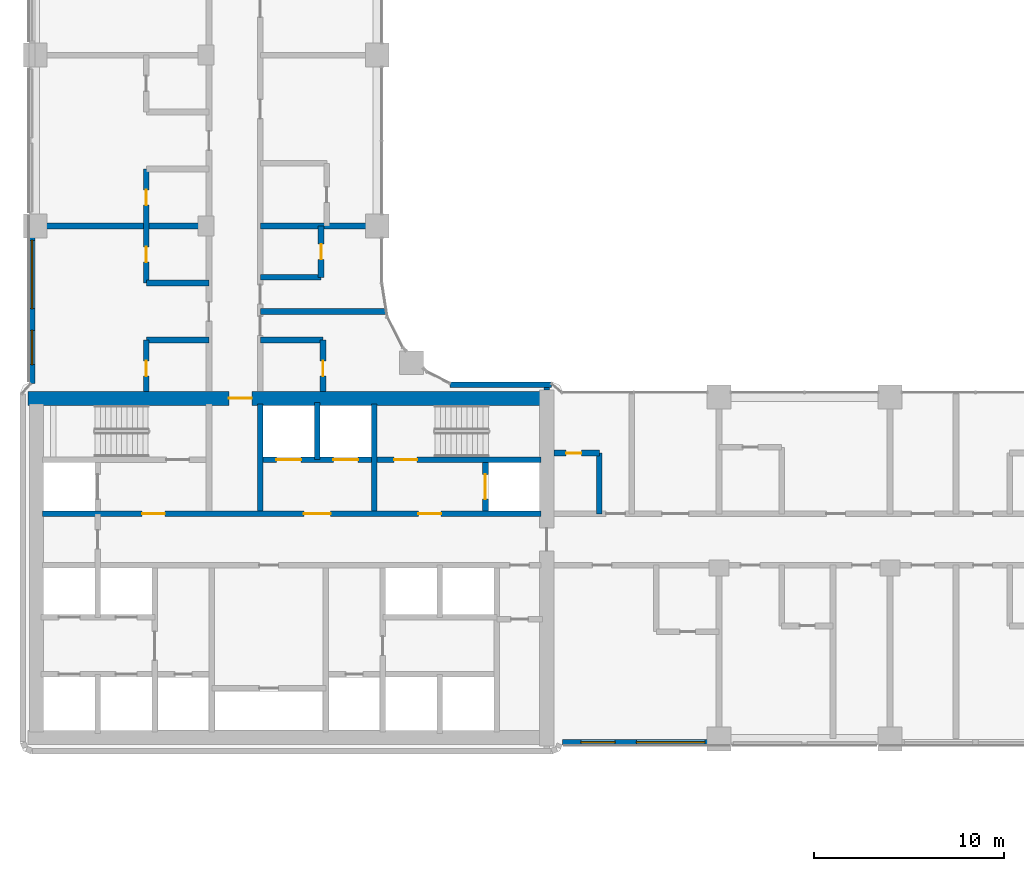
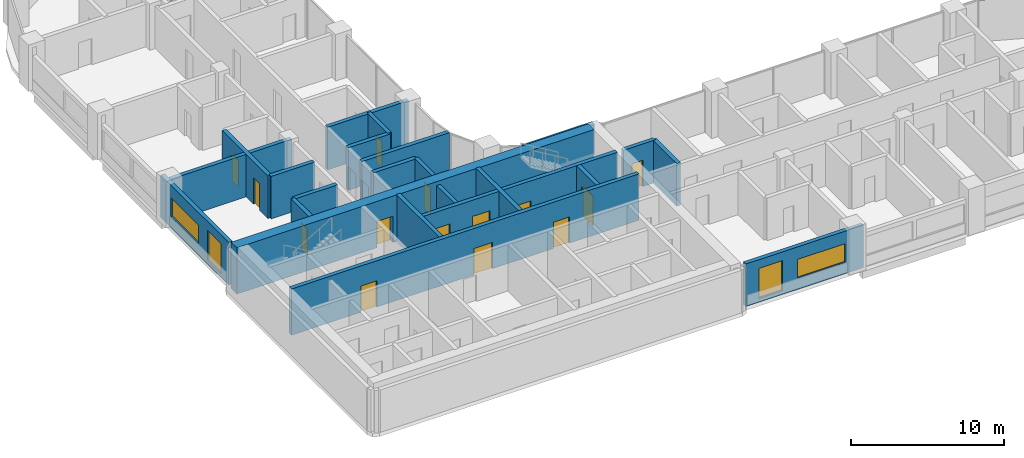
# One storey, part 19 of 33: 24 walls, 14 doors, 4 windows, 18 openings.
"""IFC4 building model written with IfcOpenShell, lengths in metres."""

from ifc_helpers import new_model, si_unit, direction, frame, frame_2d, origin, place, context, subcontext, project, spatial, rectangle, extrude, material, layer, layer_set, type_object, element, fill, save


model = new_model("IFC4")

# Units and contexts
model_context = context("Model", 3, precision=1e-05, world=origin(), true_north=direction((0.0, 1.0)))
body_context = subcontext(model_context, "Body", "Model", "MODEL_VIEW")
ifc_project = project(units=[si_unit("LENGTHUNIT", "METRE"), si_unit("AREAUNIT", "SQUARE_METRE"), si_unit("VOLUMEUNIT", "CUBIC_METRE"), si_unit("PLANEANGLEUNIT", "RADIAN"), si_unit("MASSUNIT", "GRAM", prefix="KILO")], contexts=[model_context])

# Site, building, storey
site_placement = place(None, origin())
site = spatial("IfcSite", under=ifc_project, at=site_placement, CompositionType="ELEMENT")
building_placement = place(site_placement, origin())
building = spatial("IfcBuilding", under=site, at=building_placement, Name="Ogive Portal Towers", CompositionType="ELEMENT")
storey_placement = place(building_placement, frame((0.0, 0.0, 101.89990234375)))
storey = spatial("IfcBuildingStorey", under=building, at=storey_placement, Name="L24", CompositionType="ELEMENT", Elevation=101.89990234375)

# Wall, openings, doors
ifc_material_1 = material(Name="Concrete C60/75", Category="concrete")
ifc_layer_1 = layer(ifc_material_1, 0.300048828125)
ifc_layer_set_1 = layer_set([ifc_layer_1], Name="CORE WALL 300 C60")
wall_type_1 = type_object("IfcWallType", Name="CORE WALL 300 C60", PredefinedType="SHEAR", material=ifc_layer_set_1)
wall_1_placement = place(storey_placement, frame((31.875, 33.35009765625, 0.0), z_axis=(0.0, 0.0, 1.0), x_axis=(1.0, 0.0, 0.0)))
wall_1 = element("IfcWall", 1, at=wall_1_placement, inside=storey, type_object=wall_type_1, Name="Core wall Y2 L24", PredefinedType="SHEAR", context=body_context, shape_type="SweptSolid", body=[
    extrude(rectangle(XDim=26.25, YDim=0.300048828125, at=frame_2d((13.125, 0.0))), origin(), (0.0, 0.0, 1.0), 3.7001953125),
])
opening_1_placement = place(wall_1_placement, frame((13.77490234375, 0.0, 0.0)))
opening_1 = element("IfcOpeningElement", 2, at=opening_1_placement, cuts=wall_1, Name="Opening D08-002", PredefinedType="OPENING", context=body_context, shape_type="SweptSolid", body=[
    extrude(rectangle(XDim=1.39990234375, YDim=2.10009765625, at=frame_2d((0.699951171875, 1.050048828125))), frame((0.0, 0.16015625, 0.0), z_axis=(0.0, -1.0, 0.0), x_axis=(1.0, 0.0, 0.0)), (0.0, 0.0, 1.0), 0.320068359375),
])
opening_2_placement = place(wall_1_placement, frame((5.25, 0.0, 0.0)))
opening_2 = element("IfcOpeningElement", 3, at=opening_2_placement, cuts=wall_1, Name="Opening D08-003", PredefinedType="OPENING", context=body_context, shape_type="SweptSolid", body=[
    extrude(rectangle(XDim=1.199951171875, YDim=2.10009765625, at=frame_2d((0.60009765625, 1.050048828125))), frame((0.0, 0.16015625, 0.0), z_axis=(0.0, -1.0, 0.0), x_axis=(1.0, 0.0, 0.0)), (0.0, 0.0, 1.0), 0.320068359375),
])
opening_3_placement = place(wall_1_placement, frame((19.800048828125, 0.0, 0.0)))
opening_3 = element("IfcOpeningElement", 4, at=opening_3_placement, cuts=wall_1, Name="Opening D08-004", PredefinedType="OPENING", context=body_context, shape_type="SweptSolid", body=[
    extrude(rectangle(XDim=1.199951171875, YDim=2.10009765625, at=frame_2d((0.60009765625, 1.050048828125))), frame((0.0, 0.16015625, 0.0), z_axis=(0.0, -1.0, 0.0), x_axis=(1.0, 0.0, 0.0)), (0.0, 0.0, 1.0), 0.320068359375),
])
ifc_material_2 = material(Name="Steel fire door", Category="steel")
door_type_1 = type_object("IfcDoorType", Name="DT-SWING-1200x2100-FD90S", OperationType="SINGLE_SWING_LEFT", PredefinedType="DOOR", material=ifc_material_2)
door_1_placement = place(opening_2_placement, origin())
door_1 = element("IfcDoor", 5, at=door_1_placement, inside=storey, type_object=door_type_1, Name="Door D08-003", OperationType="SINGLE_SWING_LEFT", OverallHeight=2.10009765625, OverallWidth=1.199951171875, PredefinedType="DOOR", context=body_context, shape_type="SweptSolid", body=[
    extrude(rectangle(XDim=1.199951171875, YDim=2.10009765625, at=frame_2d((0.60009765625, 1.050048828125))), frame((0.0, 0.02490234375, 0.0), z_axis=(0.0, -1.0, 0.0), x_axis=(1.0, 0.0, 0.0)), (0.0, 0.0, 1.0), 0.050048828125),
])
fill(opening_2, door_1)
door_2_placement = place(opening_3_placement, origin())
door_2 = element("IfcDoor", 6, at=door_2_placement, inside=storey, type_object=door_type_1, Name="Door D08-004", OperationType="SINGLE_SWING_RIGHT", OverallHeight=2.10009765625, OverallWidth=1.199951171875, PredefinedType="DOOR", context=body_context, shape_type="SweptSolid", body=[
    extrude(rectangle(XDim=1.199951171875, YDim=2.10009765625, at=frame_2d((0.60009765625, 1.050048828125))), frame((0.0, 0.02490234375, 0.0), z_axis=(0.0, -1.0, 0.0), x_axis=(1.0, 0.0, 0.0)), (0.0, 0.0, 1.0), 0.050048828125),
])
fill(opening_3, door_2)
door_type_2 = type_object("IfcDoorType", Name="DT-SWING-1400x2100-FD90S", OperationType="SINGLE_SWING_LEFT", PredefinedType="DOOR", material=ifc_material_2)
door_3_placement = place(opening_1_placement, origin())
door_3 = element("IfcDoor", 7, at=door_3_placement, inside=storey, type_object=door_type_2, Name="Door D08-002", OperationType="SINGLE_SWING_RIGHT", OverallHeight=2.10009765625, OverallWidth=1.39990234375, PredefinedType="DOOR", context=body_context, shape_type="SweptSolid", body=[
    extrude(rectangle(XDim=1.39990234375, YDim=2.10009765625, at=frame_2d((0.699951171875, 1.050048828125))), frame((0.0, 0.02490234375, 0.0), z_axis=(0.0, -1.0, 0.0), x_axis=(1.0, 0.0, 0.0)), (0.0, 0.0, 1.0), 0.050048828125),
])
fill(opening_1, door_3)

wall_2_placement = place(storey_placement, frame((43.5, 36.199951171875, 0.0), z_axis=(0.0, 0.0, 1.0), x_axis=(1.0, 0.0, 0.0)))
wall_2 = element("IfcWall", 8, at=wall_2_placement, inside=storey, type_object=wall_type_1, Name="Core wall Y3b L24", PredefinedType="SHEAR", context=body_context, shape_type="SweptSolid", body=[
    extrude(rectangle(XDim=14.625, YDim=0.300048828125, at=frame_2d((7.3125, 0.0))), origin(), (0.0, 0.0, 1.0), 3.7001953125),
])
opening_4_placement = place(wall_2_placement, frame((6.89990234375, 0.0, 0.0)))
opening_4 = element("IfcOpeningElement", 9, at=opening_4_placement, cuts=wall_2, Name="Opening D08-006", PredefinedType="OPENING", context=body_context, shape_type="SweptSolid", body=[
    extrude(rectangle(XDim=1.199951171875, YDim=2.10009765625, at=frame_2d((0.60009765625, 1.050048828125))), frame((0.0, 0.16015625, 0.0), z_axis=(0.0, -1.0, 0.0), x_axis=(1.0, 0.0, 0.0)), (0.0, 0.0, 1.0), 0.320068359375),
])
opening_5_placement = place(wall_2_placement, frame((0.699951171875, 0.0, 0.0)))
opening_5 = element("IfcOpeningElement", 10, at=opening_5_placement, cuts=wall_2, Name="Opening D08-017", PredefinedType="OPENING", context=body_context, shape_type="SweptSolid", body=[
    extrude(rectangle(XDim=1.300048828125, YDim=2.39990234375, at=frame_2d((0.64990234375, 1.199951171875))), frame((0.0, 0.16015625, 0.0), z_axis=(0.0, -1.0, 0.0), x_axis=(1.0, 0.0, 0.0)), (0.0, 0.0, 1.0), 0.320068359375),
])
opening_6_placement = place(wall_2_placement, frame((3.699951171875, 0.0, 0.0)))
opening_6 = element("IfcOpeningElement", 11, at=opening_6_placement, cuts=wall_2, Name="Opening D08-018", PredefinedType="OPENING", context=body_context, shape_type="SweptSolid", body=[
    extrude(rectangle(XDim=1.300048828125, YDim=2.39990234375, at=frame_2d((0.64990234375, 1.199951171875))), frame((0.0, 0.16015625, 0.0), z_axis=(0.0, -1.0, 0.0), x_axis=(1.0, 0.0, 0.0)), (0.0, 0.0, 1.0), 0.320068359375),
])
ifc_material_3 = material(Name="Stainless steel", Category="steel")
door_type_3 = type_object("IfcDoorType", Name="DT-LD-1300x2400", OperationType="SLIDING_TO_LEFT", PredefinedType="DOOR", material=ifc_material_3)
door_4_placement = place(opening_5_placement, origin())
door_4 = element("IfcDoor", 12, at=door_4_placement, inside=storey, type_object=door_type_3, Name="Door D08-017", OperationType="SLIDING_TO_LEFT", OverallHeight=2.39990234375, OverallWidth=1.300048828125, PredefinedType="DOOR", context=body_context, shape_type="SweptSolid", body=[
    extrude(rectangle(XDim=1.300048828125, YDim=2.39990234375, at=frame_2d((0.64990234375, 1.199951171875))), frame((0.0, 0.02490234375, 0.0), z_axis=(0.0, -1.0, 0.0), x_axis=(1.0, 0.0, 0.0)), (0.0, 0.0, 1.0), 0.050048828125),
])
fill(opening_5, door_4)
door_5_placement = place(opening_6_placement, origin())
door_5 = element("IfcDoor", 13, at=door_5_placement, inside=storey, type_object=door_type_3, Name="Door D08-018", OperationType="SLIDING_TO_LEFT", OverallHeight=2.39990234375, OverallWidth=1.300048828125, PredefinedType="DOOR", context=body_context, shape_type="SweptSolid", body=[
    extrude(rectangle(XDim=1.300048828125, YDim=2.39990234375, at=frame_2d((0.64990234375, 1.199951171875))), frame((0.0, 0.02490234375, 0.0), z_axis=(0.0, -1.0, 0.0), x_axis=(1.0, 0.0, 0.0)), (0.0, 0.0, 1.0), 0.050048828125),
])
fill(opening_6, door_5)
door_6_placement = place(opening_4_placement, origin())
door_6 = element("IfcDoor", 14, at=door_6_placement, inside=storey, type_object=door_type_1, Name="Door D08-006", OperationType="SINGLE_SWING_LEFT", OverallHeight=2.10009765625, OverallWidth=1.199951171875, PredefinedType="DOOR", context=body_context, shape_type="SweptSolid", body=[
    extrude(rectangle(XDim=1.199951171875, YDim=2.10009765625, at=frame_2d((0.60009765625, 1.050048828125))), frame((0.0, 0.02490234375, 0.0), z_axis=(0.0, -1.0, 0.0), x_axis=(1.0, 0.0, 0.0)), (0.0, 0.0, 1.0), 0.050048828125),
])
fill(opening_4, door_6)

# Walls
for number, where, z_axis, x_axis, name in (
    (15, (43.35009765625, 33.5, 0.0), (0.0, 0.0, 1.0), (0.0, 1.0, 0.0), "Core wall X7 L24"),
    (16, (49.35009765625, 33.5, 0.0), (0.0, 0.0, 1.0), (0.0, 1.0, 0.0), "Core wall X9 L24"),
):
    element("IfcWall", number, at=place(storey_placement, frame(where, z_axis=z_axis, x_axis=x_axis)), inside=storey, type_object=wall_type_1, Name=name, PredefinedType="SHEAR", context=body_context, shape_type="SweptSolid", body=[
        extrude(rectangle(XDim=5.625, YDim=0.300048828125, at=frame_2d((2.8125, 0.0))), origin(), (0.0, 0.0, 1.0), 3.7001953125),
    ])

# Wall, opening, door
wall_3_placement = place(storey_placement, frame((55.199951171875, 33.5, 0.0), z_axis=(0.0, 0.0, 1.0), x_axis=(0.0, 1.0, 0.0)))
wall_3 = element("IfcWall", 17, at=wall_3_placement, inside=storey, type_object=wall_type_1, Name="Core wall X10 L24", PredefinedType="SHEAR", context=body_context, shape_type="SweptSolid", body=[
    extrude(rectangle(XDim=2.550048828125, YDim=0.300048828125, at=frame_2d((1.27490234375, 0.0))), origin(), (0.0, 0.0, 1.0), 3.7001953125),
])
opening_7_placement = place(wall_3_placement, frame((0.625, 0.0, 0.0)))
opening_7 = element("IfcOpeningElement", 18, at=opening_7_placement, cuts=wall_3, Name="Opening D08-020", PredefinedType="OPENING", context=body_context, shape_type="SweptSolid", body=[
    extrude(rectangle(XDim=1.300048828125, YDim=2.39990234375, at=frame_2d((0.64990234375, 1.199951171875))), frame((0.0, 0.16015625, 0.0), z_axis=(0.0, -1.0, 0.0), x_axis=(1.0, 0.0, 0.0)), (0.0, 0.0, 1.0), 0.320068359375),
])
door_7_placement = place(opening_7_placement, origin())
door_7 = element("IfcDoor", 19, at=door_7_placement, inside=storey, type_object=door_type_3, Name="Door D08-020", OperationType="SLIDING_TO_LEFT", OverallHeight=2.39990234375, OverallWidth=1.300048828125, PredefinedType="DOOR", context=body_context, shape_type="SweptSolid", body=[
    extrude(rectangle(XDim=1.300048828125, YDim=2.39990234375, at=frame_2d((0.64990234375, 1.199951171875))), frame((0.0, 0.02490234375, 0.0), z_axis=(0.0, -1.0, 0.0), x_axis=(1.0, 0.0, 0.0)), (0.0, 0.0, 1.0), 0.050048828125),
])
fill(opening_7, door_7)

ifc_layer_2 = layer(ifc_material_1, 0.75)
ifc_layer_set_2 = layer_set([ifc_layer_2], Name="CORE WALL 750 C60")
wall_type_2 = type_object("IfcWallType", Name="CORE WALL 750 C60", PredefinedType="SHEAR", material=ifc_layer_set_2)
wall_4_placement = place(storey_placement, frame((31.125, 39.425048828125, 0.0), z_axis=(0.0, 0.0, 1.0), x_axis=(1.0, 0.0, 0.0)))
wall_4 = element("IfcWall", 20, at=wall_4_placement, inside=storey, type_object=wall_type_2, Name="Core wall N L24", PredefinedType="SHEAR", context=body_context, shape_type="SweptSolid", body=[
    extrude(rectangle(XDim=27.0, YDim=0.75, at=frame_2d((13.5, 0.0))), origin(), (0.0, 0.0, 1.0), 3.7001953125),
])
opening_8_placement = place(wall_4_placement, frame((10.574951171875, 0.0, 0.0)))
opening_8 = element("IfcOpeningElement", 21, at=opening_8_placement, cuts=wall_4, Name="Opening D08-012", PredefinedType="OPENING", context=body_context, shape_type="SweptSolid", body=[
    extrude(rectangle(XDim=1.199951171875, YDim=2.10009765625, at=frame_2d((0.60009765625, 1.050048828125))), frame((0.0, 0.385009765625, 0.0), z_axis=(0.0, -1.0, 0.0), x_axis=(1.0, 0.0, 0.0)), (0.0, 0.0, 1.0), 0.77001953125),
])
door_8_placement = place(opening_8_placement, origin())
door_8 = element("IfcDoor", 22, at=door_8_placement, inside=storey, type_object=door_type_1, Name="Door D08-012", OperationType="SINGLE_SWING_RIGHT", OverallHeight=2.10009765625, OverallWidth=1.199951171875, PredefinedType="DOOR", context=body_context, shape_type="SweptSolid", body=[
    extrude(rectangle(XDim=1.199951171875, YDim=2.10009765625, at=frame_2d((0.60009765625, 1.050048828125))), frame((0.0, 0.02490234375, 0.0), z_axis=(0.0, -1.0, 0.0), x_axis=(1.0, 0.0, 0.0)), (0.0, 0.0, 1.0), 0.050048828125),
])
fill(opening_8, door_8)

# Wall
ifc_material_4 = material(Name="Limestone cladding on lightweight block wall", Category="masonry")
ifc_layer_3 = layer(ifc_material_4, 0.300048828125)
ifc_layer_set_3 = layer_set([ifc_layer_3], Name="EXTERNAL WALL 300 STONE")
wall_type_3 = type_object("IfcWallType", Name="EXTERNAL WALL 300 STONE", PredefinedType="SOLIDWALL", material=ifc_layer_set_3)
wall_5_placement = place(storey_placement, frame((58.669921875, 40.14990234375, 0.0), z_axis=(0.0, 0.0, 1.0), x_axis=(-1.0, 0.0, 0.0)))
element("IfcWall", 23, at=wall_5_placement, inside=storey, type_object=wall_type_3, Name="A:L24:f01:r0:wall", PredefinedType="SOLIDWALL", context=body_context, shape_type="SweptSolid", body=[
    extrude(rectangle(XDim=5.3408203125, YDim=0.300048828125, at=frame_2d((2.67041015625, 0.0))), origin(), (0.0, 0.0, 1.0), 3.400146484375),
])

# Wall, openings, windows
wall_6_placement = place(storey_placement, frame((31.330078125, 49.125, 0.0), z_axis=(0.0, 0.0, 1.0), x_axis=(0.0, -1.0, 0.0)))
wall_6 = element("IfcWall", 24, at=wall_6_placement, inside=storey, type_object=wall_type_3, Name="A:L24:f12:r0:wall4", PredefinedType="SOLIDWALL", context=body_context, shape_type="SweptSolid", body=[
    extrude(rectangle(XDim=8.90478515625, YDim=0.300048828125, at=frame_2d((4.452392578125, 0.0))), origin(), (0.0, 0.0, 1.0), 3.400146484375),
])
opening_9_placement = place(wall_6_placement, frame((1.375, 0.0, 0.89990234375)))
opening_9 = element("IfcOpeningElement", 25, at=opening_9_placement, cuts=wall_6, Name="Opening WN12", PredefinedType="OPENING", context=body_context, shape_type="SweptSolid", body=[
    extrude(rectangle(XDim=3.60009765625, YDim=1.5, at=frame_2d((1.800048828125, 0.75))), frame((0.0, 0.16015625, 0.0), z_axis=(0.0, -1.0, 0.0), x_axis=(1.0, 0.0, 0.0)), (0.0, 0.0, 1.0), 0.320068359375),
])
opening_10_placement = place(wall_6_placement, frame((6.11474609375, 0.0, 0.300048828125)))
opening_10 = element("IfcOpeningElement", 26, at=opening_10_placement, cuts=wall_6, Name="Opening WN10", PredefinedType="OPENING", context=body_context, shape_type="SweptSolid", body=[
    extrude(rectangle(XDim=1.800048828125, YDim=2.39990234375, at=frame_2d((0.89990234375, 1.199951171875))), frame((0.0, 0.16015625, 0.0), z_axis=(0.0, -1.0, 0.0), x_axis=(1.0, 0.0, 0.0)), (0.0, 0.0, 1.0), 0.320068359375),
])
ifc_material_5 = material(Name="Glass, clear low-iron insulated glazing", Category="glass")
window_type_1 = type_object("IfcWindowType", Name="WINDOW RIBBON 3600x1500", PartitioningType="TRIPLE_PANEL_VERTICAL", PredefinedType="WINDOW", material=ifc_material_5)
window_1_placement = place(opening_9_placement, origin())
window_1 = element("IfcWindow", 27, at=window_1_placement, inside=storey, type_object=window_type_1, Name="A:L24:f12:r0:w4", OverallHeight=1.5, OverallWidth=3.60009765625, PartitioningType="SINGLE_PANEL", PredefinedType="WINDOW", context=body_context, shape_type="SweptSolid", body=[
    extrude(rectangle(XDim=3.60009765625, YDim=1.5, at=frame_2d((1.800048828125, 0.75))), frame((0.0, 0.030029296875, 0.0), z_axis=(0.0, -1.0, 0.0), x_axis=(1.0, 0.0, 0.0)), (0.0, 0.0, 1.0), 0.06005859375),
])
fill(opening_9, window_1)
window_type_2 = type_object("IfcWindowType", Name="WINDOW SUITE CORNER 1800x2400", PartitioningType="DOUBLE_PANEL_VERTICAL", PredefinedType="WINDOW", material=ifc_material_5)
window_2_placement = place(opening_10_placement, origin())
window_2 = element("IfcWindow", 28, at=window_2_placement, inside=storey, type_object=window_type_2, Name="A:L24:f12:r0:w5", OverallHeight=2.39990234375, OverallWidth=1.800048828125, PartitioningType="SINGLE_PANEL", PredefinedType="WINDOW", context=body_context, shape_type="SweptSolid", body=[
    extrude(rectangle(XDim=1.800048828125, YDim=2.39990234375, at=frame_2d((0.89990234375, 1.199951171875))), frame((0.0, 0.030029296875, 0.0), z_axis=(0.0, -1.0, 0.0), x_axis=(1.0, 0.0, 0.0)), (0.0, 0.0, 1.0), 0.06005859375),
])
fill(opening_10, window_2)

wall_7_placement = place(storey_placement, frame((59.250244140625, 21.330078125, 0.0), z_axis=(0.0, 0.0, 1.0), x_axis=(1.0, 0.0, 0.0)))
wall_7 = element("IfcWall", 29, at=wall_7_placement, inside=storey, type_object=wall_type_3, Name="A:L24:f20:r0:wall", PredefinedType="SOLIDWALL", context=body_context, shape_type="SweptSolid", body=[
    extrude(rectangle(XDim=8.874755859375, YDim=0.300048828125, at=frame_2d((4.4375, 0.0))), origin(), (0.0, 0.0, 1.0), 3.400146484375),
])
opening_11_placement = place(wall_7_placement, frame((0.974853515625, 0.0, 0.300048828125)))
opening_11 = element("IfcOpeningElement", 30, at=opening_11_placement, cuts=wall_7, Name="Opening WN10", PredefinedType="OPENING", context=body_context, shape_type="SweptSolid", body=[
    extrude(rectangle(XDim=1.800048828125, YDim=2.39990234375, at=frame_2d((0.89990234375, 1.199951171875))), frame((0.0, 0.16015625, 0.0), z_axis=(0.0, -1.0, 0.0), x_axis=(1.0, 0.0, 0.0)), (0.0, 0.0, 1.0), 0.320068359375),
])
opening_12_placement = place(wall_7_placement, frame((3.899658203125, 0.0, 0.89990234375)))
opening_12 = element("IfcOpeningElement", 31, at=opening_12_placement, cuts=wall_7, Name="Opening WN12", PredefinedType="OPENING", context=body_context, shape_type="SweptSolid", body=[
    extrude(rectangle(XDim=3.60009765625, YDim=1.5, at=frame_2d((1.800048828125, 0.75))), frame((0.0, 0.16015625, 0.0), z_axis=(0.0, -1.0, 0.0), x_axis=(1.0, 0.0, 0.0)), (0.0, 0.0, 1.0), 0.320068359375),
])
window_3_placement = place(opening_12_placement, origin())
window_3 = element("IfcWindow", 32, at=window_3_placement, inside=storey, type_object=window_type_1, Name="A:L24:f20:r0:w1", OverallHeight=1.5, OverallWidth=3.60009765625, PartitioningType="SINGLE_PANEL", PredefinedType="WINDOW", context=body_context, shape_type="SweptSolid", body=[
    extrude(rectangle(XDim=3.60009765625, YDim=1.5, at=frame_2d((1.800048828125, 0.75))), frame((0.0, 0.030029296875, 0.0), z_axis=(0.0, -1.0, 0.0), x_axis=(1.0, 0.0, 0.0)), (0.0, 0.0, 1.0), 0.06005859375),
])
fill(opening_12, window_3)
window_4_placement = place(opening_11_placement, origin())
window_4 = element("IfcWindow", 33, at=window_4_placement, inside=storey, type_object=window_type_2, Name="A:L24:f20:r0:w0", OverallHeight=2.39990234375, OverallWidth=1.800048828125, PartitioningType="SINGLE_PANEL", PredefinedType="WINDOW", context=body_context, shape_type="SweptSolid", body=[
    extrude(rectangle(XDim=1.800048828125, YDim=2.39990234375, at=frame_2d((0.89990234375, 1.199951171875))), frame((0.0, 0.030029296875, 0.0), z_axis=(0.0, -1.0, 0.0), x_axis=(1.0, 0.0, 0.0)), (0.0, 0.0, 1.0), 0.06005859375),
])
fill(opening_11, window_4)

# Wall
ifc_material_6 = material(Name="Gypsum board partition on steel studs", Category="steel")
ifc_layer_4 = layer(ifc_material_6, 0.300048828125)
ifc_layer_set_4 = layer_set([ifc_layer_4], Name="WT-PART-300-EI 120")
wall_type_4 = type_object("IfcWallType", Name="WT-PART-300-EI 120", PredefinedType="PARTITIONING", material=ifc_layer_set_4)
wall_8_placement = place(storey_placement, frame((58.425048828125, 39.875, 0.0), z_axis=(0.0, 0.0, 1.0), x_axis=(0.0, 1.0, 0.0)))
element("IfcWall", 34, at=wall_8_placement, inside=storey, type_object=wall_type_4, Name="Wall L24:wc02", PredefinedType="PARTITIONING", context=body_context, shape_type="SweptSolid", body=[
    extrude(rectangle(XDim=0.114990234375, YDim=0.300048828125, at=frame_2d((0.0576171875, 0.0))), origin(), (0.0, 0.0, 1.0), 3.400146484375),
])

# Wall, opening, door
ifc_layer_5 = layer(ifc_material_6, 0.300048828125)
ifc_layer_set_5 = layer_set([ifc_layer_5], Name="WT-PART-300-EI 60")
wall_type_5 = type_object("IfcWallType", Name="WT-PART-300-EI 60", PredefinedType="PARTITIONING", material=ifc_layer_set_5)
wall_9_placement = place(storey_placement, frame((58.800048828125, 36.550048828125, 0.0), z_axis=(0.0, 0.0, 1.0), x_axis=(1.0, 0.0, 0.0)))
wall_9 = element("IfcWall", 35, at=wall_9_placement, inside=storey, type_object=wall_type_5, Name="Wall L24:w010", PredefinedType="PARTITIONING", context=body_context, shape_type="SweptSolid", body=[
    extrude(rectangle(XDim=2.39990234375, YDim=0.300048828125, at=frame_2d((1.199951171875, 0.0))), origin(), (0.0, 0.0, 1.0), 3.400146484375),
])
opening_13_placement = place(wall_9_placement, frame((0.64990234375, 0.0, 0.0)))
opening_13 = element("IfcOpeningElement", 36, at=opening_13_placement, cuts=wall_9, Name="Opening D08-025", PredefinedType="OPENING", context=body_context, shape_type="SweptSolid", body=[
    extrude(rectangle(XDim=0.800048828125, YDim=2.10009765625, at=frame_2d((0.39990234375, 1.050048828125))), frame((0.0, 0.16015625, 0.0), z_axis=(0.0, -1.0, 0.0), x_axis=(1.0, 0.0, 0.0)), (0.0, 0.0, 1.0), 0.320068359375),
])
door_type_4 = type_object("IfcDoorType", Name="DT-BATH-800x2100-FD60S", OperationType="SINGLE_SWING_LEFT", PredefinedType="DOOR", material=ifc_material_2)
door_9_placement = place(opening_13_placement, origin())
door_9 = element("IfcDoor", 37, at=door_9_placement, inside=storey, type_object=door_type_4, Name="Door D08-025", OperationType="SINGLE_SWING_LEFT", OverallHeight=2.10009765625, OverallWidth=0.800048828125, PredefinedType="DOOR", context=body_context, shape_type="SweptSolid", body=[
    extrude(rectangle(XDim=0.800048828125, YDim=2.10009765625, at=frame_2d((0.39990234375, 1.050048828125))), frame((0.0, 0.02490234375, 0.0), z_axis=(0.0, -1.0, 0.0), x_axis=(1.0, 0.0, 0.0)), (0.0, 0.0, 1.0), 0.050048828125),
])
fill(opening_13, door_9)

# Walls
for number, where, z_axis, x_axis, name in (
    (38, (37.35009765625, 42.5, 0.0), (0.0, 0.0, 1.0), (1.0, 0.0, 0.0), "Wall L24:w013"),
    (39, (43.35009765625, 42.5, 0.0), (0.0, 0.0, 1.0), (1.0, 0.0, 0.0), "Wall L24:w014"),
):
    element("IfcWall", number, at=place(storey_placement, frame(where, z_axis=z_axis, x_axis=x_axis)), inside=storey, type_object=wall_type_5, Name=name, PredefinedType="PARTITIONING", context=body_context, shape_type="SweptSolid", body=[
        extrude(rectangle(XDim=3.2998046875, YDim=0.300048828125, at=frame_2d((1.64990234375, 0.0))), origin(), (0.0, 0.0, 1.0), 3.400146484375),
    ])
wall_10_placement = place(storey_placement, frame((43.35009765625, 44.0, 0.0), z_axis=(0.0, 0.0, 1.0), x_axis=(1.0, 0.0, 0.0)))
element("IfcWall", 40, at=wall_10_placement, inside=storey, type_object=wall_type_5, Name="Wall L24:w015", PredefinedType="PARTITIONING", context=body_context, shape_type="SweptSolid", body=[
    extrude(rectangle(XDim=6.595947265625, YDim=0.300048828125, at=frame_2d((3.2978515625, 0.0))), origin(), (0.0, 0.0, 1.0), 3.400146484375),
])
wall_11_placement = place(storey_placement, frame((37.35009765625, 45.5, 0.0), z_axis=(0.0, 0.0, 1.0), x_axis=(1.0, 0.0, 0.0)))
element("IfcWall", 41, at=wall_11_placement, inside=storey, type_object=wall_type_5, Name="Wall L24:w016", PredefinedType="PARTITIONING", context=body_context, shape_type="SweptSolid", body=[
    extrude(rectangle(XDim=3.2998046875, YDim=0.300048828125, at=frame_2d((1.64990234375, 0.0))), origin(), (0.0, 0.0, 1.0), 3.400146484375),
])
wall_12_placement = place(storey_placement, frame((43.35009765625, 45.800048828125, 0.0), z_axis=(0.0, 0.0, 1.0), x_axis=(1.0, 0.0, 0.0)))
element("IfcWall", 42, at=wall_12_placement, inside=storey, type_object=wall_type_5, Name="Wall L24:w017", PredefinedType="PARTITIONING", context=body_context, shape_type="SweptSolid", body=[
    extrude(rectangle(XDim=3.199951171875, YDim=0.300048828125, at=frame_2d((1.60009765625, 0.0))), origin(), (0.0, 0.0, 1.0), 3.400146484375),
])
wall_13_placement = place(storey_placement, frame((31.530029296875, 48.5, 0.0), z_axis=(0.0, 0.0, 1.0), x_axis=(1.0, 0.0, 0.0)))
element("IfcWall", 43, at=wall_13_placement, inside=storey, type_object=wall_type_5, Name="Wall L24:w018", PredefinedType="PARTITIONING", context=body_context, shape_type="SweptSolid", body=[
    extrude(rectangle(XDim=9.119873046875, YDim=0.300048828125, at=frame_2d((4.56005859375, 0.0))), origin(), (0.0, 0.0, 1.0), 3.400146484375),
])
wall_14_placement = place(storey_placement, frame((43.35009765625, 48.5, 0.0), z_axis=(0.0, 0.0, 1.0), x_axis=(1.0, 0.0, 0.0)))
element("IfcWall", 44, at=wall_14_placement, inside=storey, type_object=wall_type_5, Name="Wall L24:w019", PredefinedType="PARTITIONING", context=body_context, shape_type="SweptSolid", body=[
    extrude(rectangle(XDim=6.119873046875, YDim=0.300048828125, at=frame_2d((3.06005859375, 0.0))), origin(), (0.0, 0.0, 1.0), 3.400146484375),
])

# Wall, opening, door
wall_15_placement = place(storey_placement, frame((37.35009765625, 39.800048828125, 0.0), z_axis=(0.0, 0.0, 1.0), x_axis=(0.0, 1.0, 0.0)))
wall_15 = element("IfcWall", 45, at=wall_15_placement, inside=storey, type_object=wall_type_5, Name="Wall L24:w031", PredefinedType="PARTITIONING", context=body_context, shape_type="SweptSolid", body=[
    extrude(rectangle(XDim=2.699951171875, YDim=0.300048828125, at=frame_2d((1.35009765625, 0.0))), origin(), (0.0, 0.0, 1.0), 3.400146484375),
])
opening_14_placement = place(wall_15_placement, frame((0.800048828125, 0.0, 0.0)))
opening_14 = element("IfcOpeningElement", 46, at=opening_14_placement, cuts=wall_15, Name="Opening D08-045", PredefinedType="OPENING", context=body_context, shape_type="SweptSolid", body=[
    extrude(rectangle(XDim=0.800048828125, YDim=2.10009765625, at=frame_2d((0.39990234375, 1.050048828125))), frame((0.0, 0.16015625, 0.0), z_axis=(0.0, -1.0, 0.0), x_axis=(1.0, 0.0, 0.0)), (0.0, 0.0, 1.0), 0.320068359375),
])
door_10_placement = place(opening_14_placement, origin())
door_10 = element("IfcDoor", 47, at=door_10_placement, inside=storey, type_object=door_type_4, Name="Door D08-045", OperationType="SINGLE_SWING_LEFT", OverallHeight=2.10009765625, OverallWidth=0.800048828125, PredefinedType="DOOR", context=body_context, shape_type="SweptSolid", body=[
    extrude(rectangle(XDim=0.800048828125, YDim=2.10009765625, at=frame_2d((0.39990234375, 1.050048828125))), frame((0.0, 0.02490234375, 0.0), z_axis=(0.0, -1.0, 0.0), x_axis=(1.0, 0.0, 0.0)), (0.0, 0.0, 1.0), 0.050048828125),
])
fill(opening_14, door_10)

# Wall, openings, doors
wall_16_placement = place(storey_placement, frame((37.35009765625, 45.5, 0.0), z_axis=(0.0, 0.0, 1.0), x_axis=(0.0, 1.0, 0.0)))
wall_16 = element("IfcWall", 48, at=wall_16_placement, inside=storey, type_object=wall_type_5, Name="Wall L24:w032", PredefinedType="PARTITIONING", context=body_context, shape_type="SweptSolid", body=[
    extrude(rectangle(XDim=6.0, YDim=0.300048828125, at=frame_2d((3.0, 0.0))), origin(), (0.0, 0.0, 1.0), 3.400146484375),
])
opening_15_placement = place(wall_16_placement, frame((1.10009765625, 0.0, 0.0)))
opening_15 = element("IfcOpeningElement", 49, at=opening_15_placement, cuts=wall_16, Name="Opening D08-046", PredefinedType="OPENING", context=body_context, shape_type="SweptSolid", body=[
    extrude(rectangle(XDim=0.800048828125, YDim=2.10009765625, at=frame_2d((0.39990234375, 1.050048828125))), frame((0.0, 0.16015625, 0.0), z_axis=(0.0, -1.0, 0.0), x_axis=(1.0, 0.0, 0.0)), (0.0, 0.0, 1.0), 0.320068359375),
])
opening_16_placement = place(wall_16_placement, frame((4.10009765625, 0.0, 0.0)))
opening_16 = element("IfcOpeningElement", 50, at=opening_16_placement, cuts=wall_16, Name="Opening D08-050", PredefinedType="OPENING", context=body_context, shape_type="SweptSolid", body=[
    extrude(rectangle(XDim=0.800048828125, YDim=2.10009765625, at=frame_2d((0.39990234375, 1.050048828125))), frame((0.0, 0.16015625, 0.0), z_axis=(0.0, -1.0, 0.0), x_axis=(1.0, 0.0, 0.0)), (0.0, 0.0, 1.0), 0.320068359375),
])
door_11_placement = place(opening_15_placement, origin())
door_11 = element("IfcDoor", 51, at=door_11_placement, inside=storey, type_object=door_type_4, Name="Door D08-046", OperationType="SINGLE_SWING_LEFT", OverallHeight=2.10009765625, OverallWidth=0.800048828125, PredefinedType="DOOR", context=body_context, shape_type="SweptSolid", body=[
    extrude(rectangle(XDim=0.800048828125, YDim=2.10009765625, at=frame_2d((0.39990234375, 1.050048828125))), frame((0.0, 0.02490234375, 0.0), z_axis=(0.0, -1.0, 0.0), x_axis=(1.0, 0.0, 0.0)), (0.0, 0.0, 1.0), 0.050048828125),
])
fill(opening_15, door_11)
door_12_placement = place(opening_16_placement, origin())
door_12 = element("IfcDoor", 52, at=door_12_placement, inside=storey, type_object=door_type_4, Name="Door D08-050", OperationType="SINGLE_SWING_RIGHT", OverallHeight=2.10009765625, OverallWidth=0.800048828125, PredefinedType="DOOR", context=body_context, shape_type="SweptSolid", body=[
    extrude(rectangle(XDim=0.800048828125, YDim=2.10009765625, at=frame_2d((0.39990234375, 1.050048828125))), frame((0.0, 0.02490234375, 0.0), z_axis=(0.0, -1.0, 0.0), x_axis=(1.0, 0.0, 0.0)), (0.0, 0.0, 1.0), 0.050048828125),
])
fill(opening_16, door_12)

# Wall, opening, door
wall_17_placement = place(storey_placement, frame((46.550048828125, 45.800048828125, 0.0), z_axis=(0.0, 0.0, 1.0), x_axis=(0.0, 1.0, 0.0)))
wall_17 = element("IfcWall", 53, at=wall_17_placement, inside=storey, type_object=wall_type_5, Name="Wall L24:w039", PredefinedType="PARTITIONING", context=body_context, shape_type="SweptSolid", body=[
    extrude(rectangle(XDim=2.699951171875, YDim=0.300048828125, at=frame_2d((1.35009765625, 0.0))), origin(), (0.0, 0.0, 1.0), 3.400146484375),
])
opening_17_placement = place(wall_17_placement, frame((0.949951171875, 0.0, 0.0)))
opening_17 = element("IfcOpeningElement", 54, at=opening_17_placement, cuts=wall_17, Name="Opening D08-043", PredefinedType="OPENING", context=body_context, shape_type="SweptSolid", body=[
    extrude(rectangle(XDim=0.800048828125, YDim=2.10009765625, at=frame_2d((0.39990234375, 1.050048828125))), frame((0.0, 0.16015625, 0.0), z_axis=(0.0, -1.0, 0.0), x_axis=(1.0, 0.0, 0.0)), (0.0, 0.0, 1.0), 0.320068359375),
])
door_13_placement = place(opening_17_placement, origin())
door_13 = element("IfcDoor", 55, at=door_13_placement, inside=storey, type_object=door_type_4, Name="Door D08-043", OperationType="SINGLE_SWING_LEFT", OverallHeight=2.10009765625, OverallWidth=0.800048828125, PredefinedType="DOOR", context=body_context, shape_type="SweptSolid", body=[
    extrude(rectangle(XDim=0.800048828125, YDim=2.10009765625, at=frame_2d((0.39990234375, 1.050048828125))), frame((0.0, 0.02490234375, 0.0), z_axis=(0.0, -1.0, 0.0), x_axis=(1.0, 0.0, 0.0)), (0.0, 0.0, 1.0), 0.050048828125),
])
fill(opening_17, door_13)

wall_18_placement = place(storey_placement, frame((46.64990234375, 39.800048828125, 0.0), z_axis=(0.0, 0.0, 1.0), x_axis=(0.0, 1.0, 0.0)))
wall_18 = element("IfcWall", 56, at=wall_18_placement, inside=storey, type_object=wall_type_5, Name="Wall L24:w040", PredefinedType="PARTITIONING", context=body_context, shape_type="SweptSolid", body=[
    extrude(rectangle(XDim=2.699951171875, YDim=0.300048828125, at=frame_2d((1.35009765625, 0.0))), origin(), (0.0, 0.0, 1.0), 3.400146484375),
])
opening_18_placement = place(wall_18_placement, frame((0.800048828125, 0.0, 0.0)))
opening_18 = element("IfcOpeningElement", 57, at=opening_18_placement, cuts=wall_18, Name="Opening D08-041", PredefinedType="OPENING", context=body_context, shape_type="SweptSolid", body=[
    extrude(rectangle(XDim=0.800048828125, YDim=2.10009765625, at=frame_2d((0.39990234375, 1.050048828125))), frame((0.0, 0.16015625, 0.0), z_axis=(0.0, -1.0, 0.0), x_axis=(1.0, 0.0, 0.0)), (0.0, 0.0, 1.0), 0.320068359375),
])
door_14_placement = place(opening_18_placement, origin())
door_14 = element("IfcDoor", 58, at=door_14_placement, inside=storey, type_object=door_type_4, Name="Door D08-041", OperationType="SINGLE_SWING_RIGHT", OverallHeight=2.10009765625, OverallWidth=0.800048828125, PredefinedType="DOOR", context=body_context, shape_type="SweptSolid", body=[
    extrude(rectangle(XDim=0.800048828125, YDim=2.10009765625, at=frame_2d((0.39990234375, 1.050048828125))), frame((0.0, 0.02490234375, 0.0), z_axis=(0.0, -1.0, 0.0), x_axis=(1.0, 0.0, 0.0)), (0.0, 0.0, 1.0), 0.050048828125),
])
fill(opening_18, door_14)

# Walls
wall_19_placement = place(storey_placement, frame((61.199951171875, 33.35009765625, 0.0), z_axis=(0.0, 0.0, 1.0), x_axis=(0.0, 1.0, 0.0)))
element("IfcWall", 59, at=wall_19_placement, inside=storey, type_object=wall_type_5, Name="Wall L24:w043", PredefinedType="PARTITIONING", context=body_context, shape_type="SweptSolid", body=[
    extrude(rectangle(XDim=3.199951171875, YDim=0.300048828125, at=frame_2d((1.60009765625, 0.0))), origin(), (0.0, 0.0, 1.0), 3.400146484375),
])
ifc_material_7 = material(Name="Concrete C40/50", Category="concrete")
ifc_layer_6 = layer(ifc_material_7, 0.300048828125)
ifc_layer_set_6 = layer_set([ifc_layer_6], Name="WT-SHAFT-300")
wall_type_6 = type_object("IfcWallType", Name="WT-SHAFT-300", PredefinedType="SOLIDWALL", material=ifc_layer_set_6)
wall_20_placement = place(storey_placement, frame((46.35009765625, 36.199951171875, 0.0), z_axis=(0.0, 0.0, 1.0), x_axis=(0.0, 1.0, 0.0)))
element("IfcWall", 60, at=wall_20_placement, inside=storey, type_object=wall_type_6, Name="Wall pw:009:L24", PredefinedType="SOLIDWALL", context=body_context, shape_type="SweptSolid", body=[
    extrude(rectangle(XDim=3.0, YDim=0.300048828125, at=frame_2d((1.5, 0.0))), origin(), (0.0, 0.0, 1.0), 3.400146484375),
])

save(model, "model.ifc")
